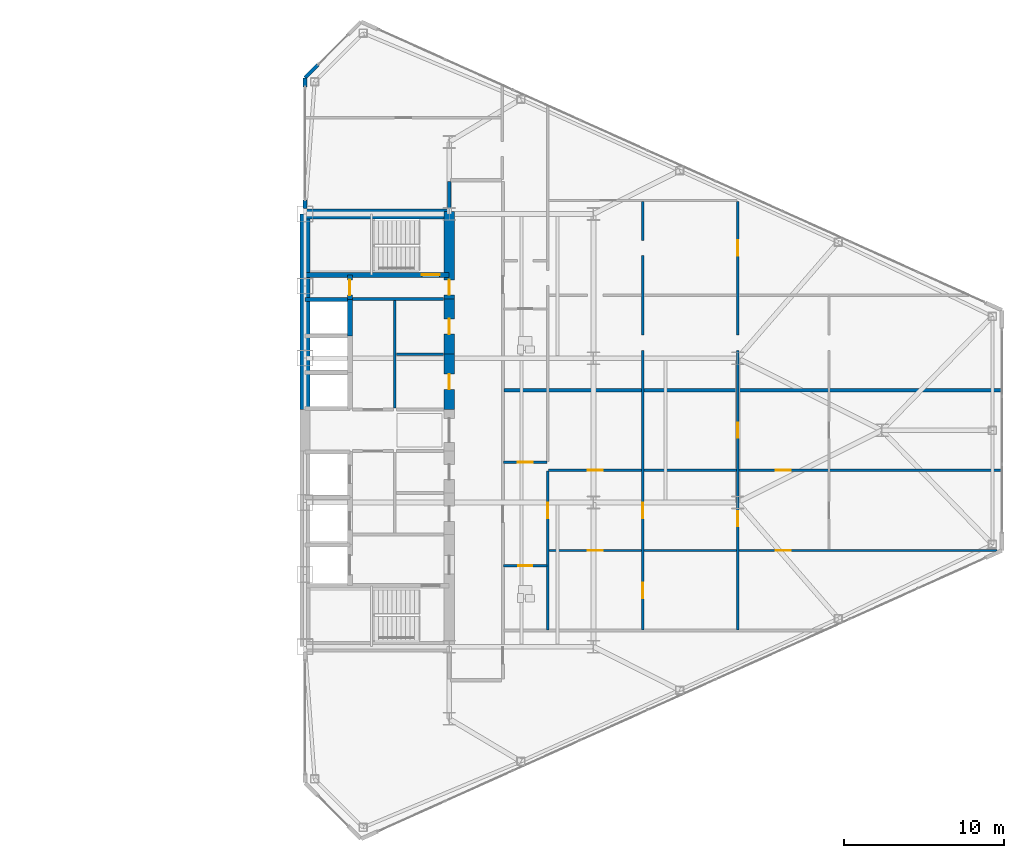
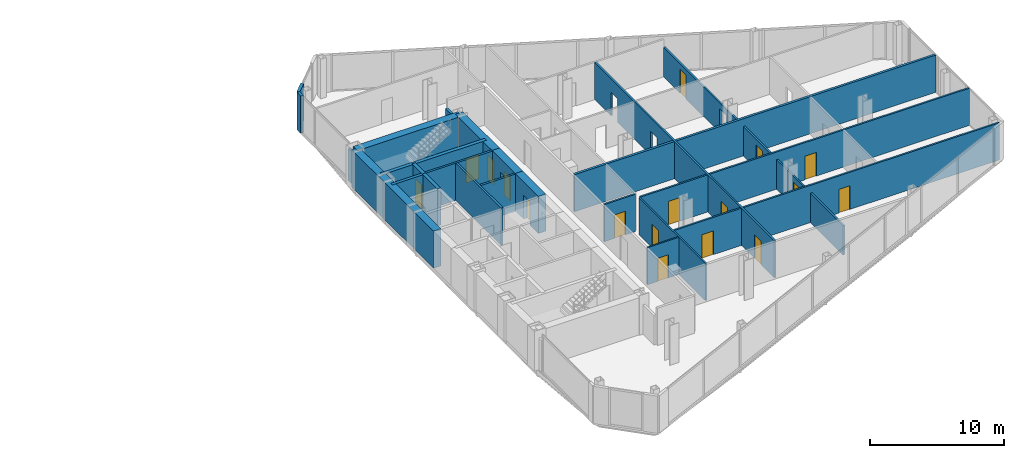
# One storey, part 23 of 27: 24 walls, 17 doors, 20 openings.
"""IFC4 building model written with IfcOpenShell, lengths in metres."""

from ifc_helpers import new_model, si_unit, direction, frame, frame_2d, origin, place, context, subcontext, project, spatial, rectangle, extrude, source, transform, mapped, material, layer, layer_set, type_object, type_shapes, element, fill, save


model = new_model("IFC4")

# Units and contexts
model_context = context("Model", 3, precision=1e-05, world=origin(), true_north=direction((0.0, 1.0)))
body_context = subcontext(model_context, "Body", "Model", "MODEL_VIEW")
ifc_project = project(units=[si_unit("LENGTHUNIT", "METRE"), si_unit("AREAUNIT", "SQUARE_METRE"), si_unit("VOLUMEUNIT", "CUBIC_METRE"), si_unit("PLANEANGLEUNIT", "RADIAN"), si_unit("MASSUNIT", "GRAM", prefix="KILO")], contexts=[model_context])

# Site, building, storey
site_placement = place(None, origin())
site = spatial("IfcSite", under=ifc_project, at=site_placement, CompositionType="ELEMENT")
building_placement = place(site_placement, origin())
building = spatial("IfcBuilding", under=site, at=building_placement, Name="Seokmaru Belvedere", CompositionType="ELEMENT")
storey_placement = place(building_placement, frame((0.0, 0.0, 92.39990234375)))
storey = spatial("IfcBuildingStorey", under=building, at=storey_placement, Name="L24", CompositionType="ELEMENT", Elevation=92.39990234375)

# Wall, openings, doors
ifc_material_1 = material(Name="Fire-Rated Gypsum Shaftwall")
ifc_layer_1 = layer(ifc_material_1, 0.14990234375)
ifc_layer_set_1 = layer_set([ifc_layer_1], Name="Fire-Rated Gypsum Shaftwall")
wall_type_1 = type_object("IfcWallType", Name="Apartment Fire-Acoustic Room Partition 150", PredefinedType="PARTITIONING", material=ifc_layer_set_1)
wall_1_placement = place(storey_placement, frame((42.699951171875, -7.5, 0.0), z_axis=(0.0, 0.0, 1.0), x_axis=(1.0, 0.0, 0.0)))
wall_1 = element("IfcWall", 1, at=wall_1_placement, inside=storey, type_object=wall_type_1, Name="L24 Interior Partition 008", PredefinedType="PARTITIONING", context=body_context, shape_type="SweptSolid", body=[
    extrude(rectangle(XDim=27.995361328125, YDim=0.14990234375, at=frame_2d((13.99755859375, 0.0))), origin(), (0.0, 0.0, 1.0), 3.380126953125),
])
opening_1_placement = place(wall_1_placement, frame((2.4375, 0.0, 0.0)))
opening_1 = element("IfcOpeningElement", 2, at=opening_1_placement, cuts=wall_1, Name="Opening D05", PredefinedType="OPENING", context=body_context, shape_type="SweptSolid", body=[
    extrude(rectangle(XDim=0.949951171875, YDim=2.14990234375, at=frame_2d((0.47509765625, 1.074951171875))), frame((0.0, 0.0849609375, 0.0), z_axis=(0.0, -1.0, 0.0), x_axis=(1.0, 0.0, 0.0)), (0.0, 0.0, 1.0), 0.169921875),
])
opening_2_placement = place(wall_1_placement, frame((14.175048828125, 0.0, 0.0)))
opening_2 = element("IfcOpeningElement", 3, at=opening_2_placement, cuts=wall_1, Name="Opening D05", PredefinedType="OPENING", context=body_context, shape_type="SweptSolid", body=[
    extrude(rectangle(XDim=0.949951171875, YDim=2.14990234375, at=frame_2d((0.47509765625, 1.074951171875))), frame((0.0, 0.0849609375, 0.0), z_axis=(0.0, -1.0, 0.0), x_axis=(1.0, 0.0, 0.0)), (0.0, 0.0, 1.0), 0.169921875),
])
ifc_material_2 = material(Name="Engineered White Oak Timber", Category="wood")
door_type_1 = type_object("IfcDoorType", Name="Apartment Interior Fire-Rated Oak Door 950x2150", OperationType="NOTDEFINED", PredefinedType="DOOR", material=ifc_material_2)
shared_shape_1 = source(origin(), body_context, "Body", "SweptSolid", [
    extrude(rectangle(XDim=0.949951171875, YDim=2.14990234375, at=frame_2d((0.47509765625, 1.074951171875))), frame((0.0, 0.02490234375, 0.0), z_axis=(0.0, -1.0, 0.0), x_axis=(1.0, 0.0, 0.0)), (0.0, 0.0, 1.0), 0.050048828125),
])
type_shapes(door_type_1, [shared_shape_1])
door_1_placement = place(opening_1_placement, origin())
door_1 = element("IfcDoor", 4, at=door_1_placement, inside=storey, type_object=door_type_1, Name="L24 Interior Door 039", OperationType="SINGLE_SWING_LEFT", OverallHeight=2.14990234375, OverallWidth=0.949951171875, PredefinedType="DOOR", context=body_context, shape_type="MappedRepresentation", body=[
    mapped(shared_shape_1, transform((0.0, 0.0, 0.0), scale=1.0)),
])
fill(opening_1, door_1)
door_2_placement = place(opening_2_placement, origin())
door_2 = element("IfcDoor", 5, at=door_2_placement, inside=storey, type_object=door_type_1, Name="L24 Interior Door 043", OperationType="SINGLE_SWING_RIGHT", OverallHeight=2.14990234375, OverallWidth=0.949951171875, PredefinedType="DOOR", context=body_context, shape_type="MappedRepresentation", body=[
    mapped(shared_shape_1, transform((0.0, 0.0, 0.0), scale=1.0)),
])
fill(opening_2, door_2)

wall_2_placement = place(storey_placement, frame((42.699951171875, -2.5, 0.0), z_axis=(0.0, 0.0, 1.0), x_axis=(1.0, 0.0, 0.0)))
wall_2 = element("IfcWall", 6, at=wall_2_placement, inside=storey, type_object=wall_type_1, Name="L24 Interior Partition 012", PredefinedType="PARTITIONING", context=body_context, shape_type="SweptSolid", body=[
    extrude(rectangle(XDim=28.3349609375, YDim=0.14990234375, at=frame_2d((14.16748046875, 0.0))), origin(), (0.0, 0.0, 1.0), 3.380126953125),
])
opening_3_placement = place(wall_2_placement, frame((2.4375, 0.0, 0.0)))
opening_3 = element("IfcOpeningElement", 7, at=opening_3_placement, cuts=wall_2, Name="Opening D05", PredefinedType="OPENING", context=body_context, shape_type="SweptSolid", body=[
    extrude(rectangle(XDim=0.949951171875, YDim=2.14990234375, at=frame_2d((0.47509765625, 1.074951171875))), frame((0.0, 0.0849609375, 0.0), z_axis=(0.0, -1.0, 0.0), x_axis=(1.0, 0.0, 0.0)), (0.0, 0.0, 1.0), 0.169921875),
])
opening_4_placement = place(wall_2_placement, frame((14.175048828125, 0.0, 0.0)))
opening_4 = element("IfcOpeningElement", 8, at=opening_4_placement, cuts=wall_2, Name="Opening D05", PredefinedType="OPENING", context=body_context, shape_type="SweptSolid", body=[
    extrude(rectangle(XDim=0.949951171875, YDim=2.14990234375, at=frame_2d((0.47509765625, 1.074951171875))), frame((0.0, 0.0849609375, 0.0), z_axis=(0.0, -1.0, 0.0), x_axis=(1.0, 0.0, 0.0)), (0.0, 0.0, 1.0), 0.169921875),
])
door_3_placement = place(opening_3_placement, origin())
door_3 = element("IfcDoor", 9, at=door_3_placement, inside=storey, type_object=door_type_1, Name="L24 Interior Door 041", OperationType="SINGLE_SWING_RIGHT", OverallHeight=2.14990234375, OverallWidth=0.949951171875, PredefinedType="DOOR", context=body_context, shape_type="MappedRepresentation", body=[
    mapped(shared_shape_1, transform((0.0, 0.0, 0.0), scale=1.0)),
])
fill(opening_3, door_3)
door_4_placement = place(opening_4_placement, origin())
door_4 = element("IfcDoor", 10, at=door_4_placement, inside=storey, type_object=door_type_1, Name="L24 Interior Door 045", OperationType="SINGLE_SWING_RIGHT", OverallHeight=2.14990234375, OverallWidth=0.949951171875, PredefinedType="DOOR", context=body_context, shape_type="MappedRepresentation", body=[
    mapped(shared_shape_1, transform((0.0, 0.0, 0.0), scale=1.0)),
])
fill(opening_4, door_4)

# Wall, opening, door
wall_3_placement = place(storey_placement, frame((39.89990234375, -2.0, 0.0), z_axis=(0.0, 0.0, 1.0), x_axis=(1.0, 0.0, 0.0)))
wall_3 = element("IfcWall", 11, at=wall_3_placement, inside=storey, type_object=wall_type_1, Name="L24 Interior Partition 013", PredefinedType="PARTITIONING", context=body_context, shape_type="SweptSolid", body=[
    extrude(rectangle(XDim=2.7001953125, YDim=0.14990234375, at=frame_2d((1.35009765625, 0.0))), origin(), (0.0, 0.0, 1.0), 3.380126953125),
])
opening_5_placement = place(wall_3_placement, frame((0.875, 0.0, 0.0)))
opening_5 = element("IfcOpeningElement", 12, at=opening_5_placement, cuts=wall_3, Name="Opening D05", PredefinedType="OPENING", context=body_context, shape_type="SweptSolid", body=[
    extrude(rectangle(XDim=0.949951171875, YDim=2.14990234375, at=frame_2d((0.47509765625, 1.074951171875))), frame((0.0, 0.0849609375, 0.0), z_axis=(0.0, -1.0, 0.0), x_axis=(1.0, 0.0, 0.0)), (0.0, 0.0, 1.0), 0.169921875),
])
door_5_placement = place(opening_5_placement, origin())
door_5 = element("IfcDoor", 13, at=door_5_placement, inside=storey, type_object=door_type_1, Name="L24 Interior Door 037", OperationType="SINGLE_SWING_RIGHT", OverallHeight=2.14990234375, OverallWidth=0.949951171875, PredefinedType="DOOR", context=body_context, shape_type="MappedRepresentation", body=[
    mapped(shared_shape_1, transform((0.0, 0.0, 0.0), scale=1.0)),
])
fill(opening_5, door_5)

# Wall, openings, doors
wall_4_placement = place(storey_placement, frame((48.580078125, -12.449951171875, 0.0), z_axis=(0.0, 0.0, 1.0), x_axis=(0.0, 1.0, 0.0)))
wall_4 = element("IfcWall", 14, at=wall_4_placement, inside=storey, type_object=wall_type_1, Name="L24 Interior Partition 049", PredefinedType="PARTITIONING", context=body_context, shape_type="SweptSolid", body=[
    extrude(rectangle(XDim=26.738037109375, YDim=0.14990234375, at=frame_2d((13.369140625, 0.0))), origin(), (0.0, 0.0, 1.0), 3.380126953125),
])
opening_6_placement = place(wall_4_placement, frame((6.97509765625, 0.0, 0.0)))
opening_6 = element("IfcOpeningElement", 15, at=opening_6_placement, cuts=wall_4, Name="Opening D05", PredefinedType="OPENING", context=body_context, shape_type="SweptSolid", body=[
    extrude(rectangle(XDim=0.949951171875, YDim=2.14990234375, at=frame_2d((0.47509765625, 1.074951171875))), frame((0.0, 0.0849609375, 0.0), z_axis=(0.0, -1.0, 0.0), x_axis=(1.0, 0.0, 0.0)), (0.0, 0.0, 1.0), 0.169921875),
])
opening_7_placement = place(wall_4_placement, frame((1.97509765625, 0.0, 0.0)))
opening_7 = element("IfcOpeningElement", 16, at=opening_7_placement, cuts=wall_4, Name="Opening D05", PredefinedType="OPENING", context=body_context, shape_type="SweptSolid", body=[
    extrude(rectangle(XDim=0.949951171875, YDim=2.14990234375, at=frame_2d((0.47509765625, 1.074951171875))), frame((0.0, 0.0849609375, 0.0), z_axis=(0.0, -1.0, 0.0), x_axis=(1.0, 0.0, 0.0)), (0.0, 0.0, 1.0), 0.169921875),
])
opening_8_placement = place(wall_4_placement, frame((23.353759765625, 0.0, 0.0)))
element("IfcOpeningElement", 17, at=opening_8_placement, cuts=wall_4, Name="L24 Cased Opening 054", PredefinedType="OPENING", context=body_context, shape_type="SweptSolid", body=[
    extrude(rectangle(XDim=0.949951171875, YDim=2.14990234375, at=frame_2d((0.47509765625, 1.074951171875))), frame((0.0, 0.0849609375, 0.0), z_axis=(0.0, -1.0, 0.0), x_axis=(1.0, 0.0, 0.0)), (0.0, 0.0, 1.0), 0.169921875),
])
opening_9_placement = place(wall_4_placement, frame((17.4345703125, 0.0, 0.0)))
element("IfcOpeningElement", 18, at=opening_9_placement, cuts=wall_4, Name="L24 Cased Opening 057", PredefinedType="OPENING", context=body_context, shape_type="SweptSolid", body=[
    extrude(rectangle(XDim=0.949951171875, YDim=2.14990234375, at=frame_2d((0.47509765625, 1.074951171875))), frame((0.0, 0.0849609375, 0.0), z_axis=(0.0, -1.0, 0.0), x_axis=(1.0, 0.0, 0.0)), (0.0, 0.0, 1.0), 0.169921875),
])
door_6_placement = place(opening_6_placement, origin())
door_6 = element("IfcDoor", 19, at=door_6_placement, inside=storey, type_object=door_type_1, Name="L24 Interior Door 040", OperationType="SINGLE_SWING_RIGHT", OverallHeight=2.14990234375, OverallWidth=0.949951171875, PredefinedType="DOOR", context=body_context, shape_type="MappedRepresentation", body=[
    mapped(shared_shape_1, transform((0.0, 0.0, 0.0), scale=1.0)),
])
fill(opening_6, door_6)
door_7_placement = place(opening_7_placement, origin())
door_7 = element("IfcDoor", 20, at=door_7_placement, inside=storey, type_object=door_type_1, Name="L24 Interior Door 047", OperationType="SINGLE_SWING_LEFT", OverallHeight=2.14990234375, OverallWidth=0.949951171875, PredefinedType="DOOR", context=body_context, shape_type="MappedRepresentation", body=[
    mapped(shared_shape_1, transform((0.0, 0.0, 0.0), scale=1.0)),
])
fill(opening_7, door_7)

wall_5_placement = place(storey_placement, frame((54.5, -12.449951171875, 0.0), z_axis=(0.0, 0.0, 1.0), x_axis=(0.0, 1.0, 0.0)))
wall_5 = element("IfcWall", 21, at=wall_5_placement, inside=storey, type_object=wall_type_1, Name="L24 Interior Partition 050", PredefinedType="PARTITIONING", context=body_context, shape_type="SweptSolid", body=[
    extrude(rectangle(XDim=26.738037109375, YDim=0.14990234375, at=frame_2d((13.369140625, 0.0))), origin(), (0.0, 0.0, 1.0), 2.68017578125),
])
opening_10_placement = place(wall_5_placement, frame((6.4580078125, 0.0, 0.0)))
opening_10 = element("IfcOpeningElement", 22, at=opening_10_placement, cuts=wall_5, Name="Opening D05", PredefinedType="OPENING", context=body_context, shape_type="SweptSolid", body=[
    extrude(rectangle(XDim=0.949951171875, YDim=2.14990234375, at=frame_2d((0.47509765625, 1.074951171875))), frame((0.0, 0.0849609375, 0.0), z_axis=(0.0, -1.0, 0.0), x_axis=(1.0, 0.0, 0.0)), (0.0, 0.0, 1.0), 0.169921875),
])
opening_11_placement = place(wall_5_placement, frame((11.97509765625, 0.0, 0.0)))
opening_11 = element("IfcOpeningElement", 23, at=opening_11_placement, cuts=wall_5, Name="Opening D05", PredefinedType="OPENING", context=body_context, shape_type="SweptSolid", body=[
    extrude(rectangle(XDim=0.949951171875, YDim=2.14990234375, at=frame_2d((0.47509765625, 1.074951171875))), frame((0.0, 0.0849609375, 0.0), z_axis=(0.0, -1.0, 0.0), x_axis=(1.0, 0.0, 0.0)), (0.0, 0.0, 1.0), 0.169921875),
])
opening_12_placement = place(wall_5_placement, frame((23.353759765625, 0.0, 0.0)))
opening_12 = element("IfcOpeningElement", 24, at=opening_12_placement, cuts=wall_5, Name="Opening D05", PredefinedType="OPENING", context=body_context, shape_type="SweptSolid", body=[
    extrude(rectangle(XDim=0.949951171875, YDim=2.14990234375, at=frame_2d((0.47509765625, 1.074951171875))), frame((0.0, 0.0849609375, 0.0), z_axis=(0.0, -1.0, 0.0), x_axis=(1.0, 0.0, 0.0)), (0.0, 0.0, 1.0), 0.169921875),
])
opening_13_placement = place(wall_5_placement, frame((17.4345703125, 0.0, 0.0)))
element("IfcOpeningElement", 25, at=opening_13_placement, cuts=wall_5, Name="L24 Cased Opening 058", PredefinedType="OPENING", context=body_context, shape_type="SweptSolid", body=[
    extrude(rectangle(XDim=0.949951171875, YDim=2.14990234375, at=frame_2d((0.47509765625, 1.074951171875))), frame((0.0, 0.0849609375, 0.0), z_axis=(0.0, -1.0, 0.0), x_axis=(1.0, 0.0, 0.0)), (0.0, 0.0, 1.0), 0.169921875),
])
door_8_placement = place(opening_10_placement, origin())
door_8 = element("IfcDoor", 26, at=door_8_placement, inside=storey, type_object=door_type_1, Name="L24 Interior Door 042", OperationType="SINGLE_SWING_LEFT", OverallHeight=2.14990234375, OverallWidth=0.949951171875, PredefinedType="DOOR", context=body_context, shape_type="MappedRepresentation", body=[
    mapped(shared_shape_1, transform((0.0, 0.0, 0.0), scale=1.0)),
])
fill(opening_10, door_8)
door_9_placement = place(opening_11_placement, origin())
door_9 = element("IfcDoor", 27, at=door_9_placement, inside=storey, type_object=door_type_1, Name="L24 Interior Door 048", OperationType="SINGLE_SWING_RIGHT", OverallHeight=2.14990234375, OverallWidth=0.949951171875, PredefinedType="DOOR", context=body_context, shape_type="MappedRepresentation", body=[
    mapped(shared_shape_1, transform((0.0, 0.0, 0.0), scale=1.0)),
])
fill(opening_11, door_9)
door_10_placement = place(opening_12_placement, origin())
door_10 = element("IfcDoor", 28, at=door_10_placement, inside=storey, type_object=door_type_1, Name="L24 Interior Door 056", OperationType="SINGLE_SWING_LEFT", OverallHeight=2.14990234375, OverallWidth=0.949951171875, PredefinedType="DOOR", context=body_context, shape_type="MappedRepresentation", body=[
    mapped(shared_shape_1, transform((0.0, 0.0, 0.0), scale=1.0)),
])
fill(opening_12, door_10)

# Walls
ifc_layer_2 = layer(ifc_material_1, 0.179931640625)
ifc_layer_set_2 = layer_set([ifc_layer_2], Name="Fire-Rated Gypsum Shaftwall")
wall_type_2 = type_object("IfcWallType", Name="Core Service Fire Partition 180", PredefinedType="PARTITIONING", material=ifc_layer_set_2)
wall_6_placement = place(storey_placement, frame((30.449951171875, 8.199951171875, 0.0), z_axis=(0.0, 0.0, 1.0), x_axis=(1.0, 0.0, 0.0)))
element("IfcWall", 29, at=wall_6_placement, inside=storey, type_object=wall_type_2, Name="L24 East Smokeproof Vestibule Partition", PredefinedType="PARTITIONING", context=body_context, shape_type="SweptSolid", body=[
    extrude(rectangle(XDim=5.699951171875, YDim=0.179931640625, at=frame_2d((2.85009765625, 0.0))), origin(), (0.0, 0.0, 1.0), 3.380126953125),
])
wall_7_placement = place(storey_placement, frame((33.10009765625, 1.3798828125, 0.0), z_axis=(0.0, 0.0, 1.0), x_axis=(0.0, 1.0, 0.0)))
element("IfcWall", 30, at=wall_7_placement, inside=storey, type_object=wall_type_2, Name="L24 East North Core Service Back Wall", PredefinedType="PARTITIONING", context=body_context, shape_type="SweptSolid", body=[
    extrude(rectangle(XDim=6.740234375, YDim=0.179931640625, at=frame_2d((3.3701171875, 0.0))), origin(), (0.0, 0.0, 1.0), 3.380126953125),
])
wall_8_placement = place(storey_placement, frame((33.199951171875, 4.75, 0.0), z_axis=(0.0, 0.0, 1.0), x_axis=(1.0, 0.0, 0.0)))
element("IfcWall", 31, at=wall_8_placement, inside=storey, type_object=wall_type_2, Name="L24 East Core Service Partition 2", PredefinedType="PARTITIONING", context=body_context, shape_type="SweptSolid", body=[
    extrude(rectangle(XDim=2.949951171875, YDim=0.179931640625, at=frame_2d((1.47509765625, 0.0))), origin(), (0.0, 0.0, 1.0), 3.380126953125),
])
ifc_material_3 = material(Name="Concrete C50 (50 MPa)", Category="concrete")
ifc_layer_3 = layer(ifc_material_3, 0.25)
ifc_layer_set_3 = layer_set([ifc_layer_3], Name="Concrete C50 (50 MPa)")
wall_type_3 = type_object("IfcWallType", Name="Hoistway Transverse Concrete Divider Wall 250", PredefinedType="SHEAR", material=ifc_layer_set_3)
wall_9_placement = place(storey_placement, frame((27.5, 8.14990234375, 0.0), z_axis=(0.0, 0.0, 1.0), x_axis=(1.0, 0.0, 0.0)))
element("IfcWall", 32, at=wall_9_placement, inside=storey, type_object=wall_type_3, Name="L24 East Hoistway Divider Core Wall 7", PredefinedType="SHEAR", context=body_context, shape_type="SweptSolid", body=[
    extrude(rectangle(XDim=2.800048828125, YDim=0.25, at=frame_2d((1.39990234375, 0.0))), origin(), (0.0, 0.0, 1.0), 3.380126953125),
])
ifc_layer_4 = layer(ifc_material_1, 0.199951171875)
ifc_layer_set_4 = layer_set([ifc_layer_4], Name="Fire-Rated Gypsum Shaftwall")
wall_type_4 = type_object("IfcWallType", Name="Inter-Tenancy Fire Compartment Partition 200", PredefinedType="PARTITIONING", material=ifc_layer_set_4)
wall_10_placement = place(storey_placement, frame((39.929931640625, 2.5, 0.0), z_axis=(0.0, 0.0, 1.0), x_axis=(1.0, 0.0, 0.0)))
element("IfcWall", 33, at=wall_10_placement, inside=storey, type_object=wall_type_4, Name="L24 Interior Partition 016", PredefinedType="PARTITIONING", context=body_context, shape_type="SweptSolid", body=[
    extrude(rectangle(XDim=31.074951171875, YDim=0.199951171875, at=frame_2d((15.53759765625, 0.0))), origin(), (0.0, 0.0, 1.0), 3.380126953125),
])
wall_11_placement = place(storey_placement, frame((36.5, 13.830078125, 0.0), z_axis=(0.0, 0.0, 1.0), x_axis=(0.0, 1.0, 0.0)))
element("IfcWall", 34, at=wall_11_placement, inside=storey, type_object=wall_type_4, Name="L24 Interior Partition 044", PredefinedType="PARTITIONING", context=body_context, shape_type="SweptSolid", body=[
    extrude(rectangle(XDim=1.684814453125, YDim=0.199951171875, at=frame_2d((0.84228515625, 0.0))), origin(), (0.0, 0.0, 1.0), 2.68017578125),
])

# Wall, opening, door
ifc_layer_5 = layer(ifc_material_3, 0.300048828125)
ifc_layer_set_5 = layer_set([ifc_layer_5], Name="Concrete C50 (50 MPa)")
wall_type_5 = type_object("IfcWallType", Name="Internal Core Stair and Hoistway Wall 300", PredefinedType="SHEAR", material=ifc_layer_set_5)
wall_12_placement = place(storey_placement, frame((27.5, 9.699951171875, 0.0), z_axis=(0.0, 0.0, 1.0), x_axis=(1.0, 0.0, 0.0)))
wall_12 = element("IfcWall", 35, at=wall_12_placement, inside=storey, type_object=wall_type_5, Name="L24 East Stair ST-2 Enclosure Wall", PredefinedType="SHEAR", context=body_context, shape_type="SweptSolid", body=[
    extrude(rectangle(XDim=9.0, YDim=0.300048828125, at=frame_2d((4.5, 0.0))), origin(), (0.0, 0.0, 1.0), 3.380126953125),
])
opening_14_placement = place(wall_12_placement, frame((7.300048828125, 0.0, 0.0)))
opening_14 = element("IfcOpeningElement", 36, at=opening_14_placement, cuts=wall_12, Name="Opening D01", PredefinedType="OPENING", context=body_context, shape_type="SweptSolid", body=[
    extrude(rectangle(XDim=1.10009765625, YDim=2.199951171875, at=frame_2d((0.550048828125, 1.10009765625))), frame((0.0, 0.16015625, 0.0), z_axis=(0.0, -1.0, 0.0), x_axis=(1.0, 0.0, 0.0)), (0.0, 0.0, 1.0), 0.320068359375),
])
ifc_material_4 = material(Name="Fire-Rated Steel Leaf", Category="steel")
door_type_2 = type_object("IfcDoorType", Name="Special Escape Stair Smokeproof Fire Door 1100x2200", OperationType="NOTDEFINED", PredefinedType="DOOR", material=ifc_material_4)
shared_shape_2 = source(origin(), body_context, "Body", "SweptSolid", [
    extrude(rectangle(XDim=1.10009765625, YDim=2.199951171875, at=frame_2d((0.550048828125, 1.10009765625))), frame((0.0, 0.02490234375, 0.0), z_axis=(0.0, -1.0, 0.0), x_axis=(1.0, 0.0, 0.0)), (0.0, 0.0, 1.0), 0.050048828125),
])
type_shapes(door_type_2, [shared_shape_2])
door_11_placement = place(opening_14_placement, origin())
door_11 = element("IfcDoor", 37, at=door_11_placement, inside=storey, type_object=door_type_2, Name="L24 East Special Escape Stair ST-2 Door", OperationType="SINGLE_SWING_LEFT", OverallHeight=2.199951171875, OverallWidth=1.10009765625, PredefinedType="DOOR", context=body_context, shape_type="MappedRepresentation", body=[
    mapped(shared_shape_2, transform((0.0, 0.0, 0.0), scale=1.0)),
])
fill(opening_14, door_11)

# Wall
wall_13_placement = place(storey_placement, frame((30.300048828125, 5.89990234375, 0.0), z_axis=(0.0, 0.0, 1.0), x_axis=(0.0, 1.0, 0.0)))
element("IfcWall", 38, at=wall_13_placement, inside=storey, type_object=wall_type_5, Name="L24 East North Hoistway Wall OBS", PredefinedType="SHEAR", context=body_context, shape_type="SweptSolid", body=[
    extrude(rectangle(XDim=2.25, YDim=0.300048828125, at=frame_2d((1.125, 0.0))), origin(), (0.0, 0.0, 1.0), 3.380126953125),
])

# Wall, opening, door
wall_14_placement = place(storey_placement, frame((30.300048828125, 8.14990234375, 0.0), z_axis=(0.0, 0.0, 1.0), x_axis=(0.0, 1.0, 0.0)))
wall_14 = element("IfcWall", 39, at=wall_14_placement, inside=storey, type_object=wall_type_5, Name="L24 East Electrical Riser Front Wall", PredefinedType="SHEAR", context=body_context, shape_type="SweptSolid", body=[
    extrude(rectangle(XDim=1.530029296875, YDim=0.300048828125, at=frame_2d((0.76513671875, 0.0))), origin(), (0.0, 0.0, 1.0), 3.380126953125),
])
opening_15_placement = place(wall_14_placement, frame((0.284912109375, 0.0, 0.0)))
opening_15 = element("IfcOpeningElement", 40, at=opening_15_placement, cuts=wall_14, Name="Opening D04", PredefinedType="OPENING", context=body_context, shape_type="SweptSolid", body=[
    extrude(rectangle(XDim=0.949951171875, YDim=2.14990234375, at=frame_2d((0.47509765625, 1.074951171875))), frame((0.0, 0.16015625, 0.0), z_axis=(0.0, -1.0, 0.0), x_axis=(1.0, 0.0, 0.0)), (0.0, 0.0, 1.0), 0.320068359375),
])
door_type_3 = type_object("IfcDoorType", Name="Core Service Room Fire Door 950x2150", OperationType="NOTDEFINED", PredefinedType="DOOR", material=ifc_material_4)
shared_shape_3 = source(origin(), body_context, "Body", "SweptSolid", [
    extrude(rectangle(XDim=0.949951171875, YDim=2.14990234375, at=frame_2d((0.47509765625, 1.074951171875))), frame((0.0, 0.02490234375, 0.0), z_axis=(0.0, -1.0, 0.0), x_axis=(1.0, 0.0, 0.0)), (0.0, 0.0, 1.0), 0.050048828125),
])
type_shapes(door_type_3, [shared_shape_3])
door_12_placement = place(opening_15_placement, origin())
door_12 = element("IfcDoor", 41, at=door_12_placement, inside=storey, type_object=door_type_3, Name="L24 East Electrical Riser Access Door", OperationType="SINGLE_SWING_RIGHT", OverallHeight=2.14990234375, OverallWidth=0.949951171875, PredefinedType="DOOR", context=body_context, shape_type="MappedRepresentation", body=[
    mapped(shared_shape_3, transform((0.0, 0.0, 0.0), scale=1.0)),
])
fill(opening_15, door_12)

# Walls
ifc_material_5 = material(Name="Concrete C60 (60 MPa)", Category="concrete")
ifc_layer_6 = layer(ifc_material_5, 0.64990234375)
ifc_layer_set_6 = layer_set([ifc_layer_6], Name="Concrete C60 (60 MPa)")
wall_type_6 = type_object("IfcWallType", Name="Mid-Low Reinforced Concrete Core Wall 650", PredefinedType="SHEAR", material=ifc_layer_set_6)
wall_15_placement = place(storey_placement, frame((27.5, 1.300048828125, 0.0), z_axis=(0.0, 0.0, 1.0), x_axis=(0.0, 1.0, 0.0)))
element("IfcWall", 42, at=wall_15_placement, inside=storey, type_object=wall_type_6, Name="L24 East Portal Spine Core Wall North", PredefinedType="SHEAR", context=body_context, shape_type="SweptSolid", body=[
    extrude(rectangle(XDim=12.199951171875, YDim=0.64990234375, at=frame_2d((6.10009765625, 0.0))), origin(), (0.0, 0.0, 1.0), 3.380126953125),
])
wall_16_placement = place(storey_placement, frame((27.5, 13.5, 0.0), z_axis=(0.0, 0.0, 1.0), x_axis=(1.0, 0.0, 0.0)))
element("IfcWall", 43, at=wall_16_placement, inside=storey, type_object=wall_type_6, Name="L24 East North Core Wall", PredefinedType="SHEAR", context=body_context, shape_type="SweptSolid", body=[
    extrude(rectangle(XDim=9.0, YDim=0.64990234375, at=frame_2d((4.5, 0.0))), origin(), (0.0, 0.0, 1.0), 3.380126953125),
])

# Wall, opening, door
wall_17_placement = place(storey_placement, frame((36.5, 8.199951171875, 0.0), z_axis=(0.0, 0.0, 1.0), x_axis=(0.0, 1.0, 0.0)))
wall_17 = element("IfcWall", 44, at=wall_17_placement, inside=storey, type_object=wall_type_6, Name="L24 East West Core Wall VST", PredefinedType="SHEAR", context=body_context, shape_type="SweptSolid", body=[
    extrude(rectangle(XDim=5.449951171875, YDim=0.64990234375, at=frame_2d((2.72509765625, 0.0))), origin(), (0.0, 0.0, 1.0), 3.380126953125),
])
opening_16_placement = place(wall_17_placement, frame((0.2451171875, 0.0, 0.0)))
opening_16 = element("IfcOpeningElement", 45, at=opening_16_placement, cuts=wall_17, Name="Opening D04", PredefinedType="OPENING", context=body_context, shape_type="SweptSolid", body=[
    extrude(rectangle(XDim=0.949951171875, YDim=2.14990234375, at=frame_2d((0.47509765625, 1.074951171875))), frame((0.0, 0.3349609375, 0.0), z_axis=(0.0, -1.0, 0.0), x_axis=(1.0, 0.0, 0.0)), (0.0, 0.0, 1.0), 0.669921875),
])
door_13_placement = place(opening_16_placement, origin())
door_13 = element("IfcDoor", 46, at=door_13_placement, inside=storey, type_object=door_type_3, Name="L24 East Smokeproof Vestibule Door", OperationType="SINGLE_SWING_LEFT", OverallHeight=2.14990234375, OverallWidth=0.949951171875, PredefinedType="DOOR", context=body_context, shape_type="MappedRepresentation", body=[
    mapped(shared_shape_3, transform((0.0, 0.0, 0.0), scale=1.0)),
])
fill(opening_16, door_13)

wall_18_placement = place(storey_placement, frame((36.5, 1.300048828125, 0.0), z_axis=(0.0, 0.0, 1.0), x_axis=(0.0, 1.0, 0.0)))
wall_18 = element("IfcWall", 47, at=wall_18_placement, inside=storey, type_object=wall_type_6, Name="L24 East West Core Wall CS3", PredefinedType="SHEAR", context=body_context, shape_type="SweptSolid", body=[
    extrude(rectangle(XDim=3.449951171875, YDim=0.64990234375, at=frame_2d((1.72509765625, 0.0))), origin(), (0.0, 0.0, 1.0), 3.380126953125),
])
opening_17_placement = place(wall_18_placement, frame((1.25, 0.0, 0.0)))
opening_17 = element("IfcOpeningElement", 48, at=opening_17_placement, cuts=wall_18, Name="Opening D04", PredefinedType="OPENING", context=body_context, shape_type="SweptSolid", body=[
    extrude(rectangle(XDim=0.949951171875, YDim=2.14990234375, at=frame_2d((0.47509765625, 1.074951171875))), frame((0.0, 0.3349609375, 0.0), z_axis=(0.0, -1.0, 0.0), x_axis=(1.0, 0.0, 0.0)), (0.0, 0.0, 1.0), 0.669921875),
])
door_14_placement = place(opening_17_placement, origin())
door_14 = element("IfcDoor", 49, at=door_14_placement, inside=storey, type_object=door_type_3, Name="L24 East Core Service Room Door 3", OperationType="SINGLE_SWING_RIGHT", OverallHeight=2.14990234375, OverallWidth=0.949951171875, PredefinedType="DOOR", context=body_context, shape_type="MappedRepresentation", body=[
    mapped(shared_shape_3, transform((0.0, 0.0, 0.0), scale=1.0)),
])
fill(opening_17, door_14)

wall_19_placement = place(storey_placement, frame((36.5, 4.75, 0.0), z_axis=(0.0, 0.0, 1.0), x_axis=(0.0, 1.0, 0.0)))
wall_19 = element("IfcWall", 50, at=wall_19_placement, inside=storey, type_object=wall_type_6, Name="L24 East West Core Wall CS4", PredefinedType="SHEAR", context=body_context, shape_type="SweptSolid", body=[
    extrude(rectangle(XDim=3.449951171875, YDim=0.64990234375, at=frame_2d((1.72509765625, 0.0))), origin(), (0.0, 0.0, 1.0), 3.380126953125),
])
opening_18_placement = place(wall_19_placement, frame((1.25, 0.0, 0.0)))
opening_18 = element("IfcOpeningElement", 51, at=opening_18_placement, cuts=wall_19, Name="Opening D04", PredefinedType="OPENING", context=body_context, shape_type="SweptSolid", body=[
    extrude(rectangle(XDim=0.949951171875, YDim=2.14990234375, at=frame_2d((0.47509765625, 1.074951171875))), frame((0.0, 0.3349609375, 0.0), z_axis=(0.0, -1.0, 0.0), x_axis=(1.0, 0.0, 0.0)), (0.0, 0.0, 1.0), 0.669921875),
])
door_15_placement = place(opening_18_placement, origin())
door_15 = element("IfcDoor", 52, at=door_15_placement, inside=storey, type_object=door_type_3, Name="L24 East Core Service Room Door 4", OperationType="SINGLE_SWING_LEFT", OverallHeight=2.14990234375, OverallWidth=0.949951171875, PredefinedType="DOOR", context=body_context, shape_type="MappedRepresentation", body=[
    mapped(shared_shape_3, transform((0.0, 0.0, 0.0), scale=1.0)),
])
fill(opening_18, door_15)

ifc_layer_7 = layer(ifc_material_1, 0.1298828125)
ifc_layer_set_7 = layer_set([ifc_layer_7], Name="Fire-Rated Gypsum Shaftwall")
wall_type_7 = type_object("IfcWallType", Name="Moisture-Resistant Fire-Rated Bathroom Partition 130", PredefinedType="PARTITIONING", material=ifc_layer_set_7)
wall_20_placement = place(storey_placement, frame((39.89990234375, -8.449951171875, 0.0), z_axis=(0.0, 0.0, 1.0), x_axis=(1.0, 0.0, 0.0)))
wall_20 = element("IfcWall", 53, at=wall_20_placement, inside=storey, type_object=wall_type_7, Name="L24 Interior Partition 007", PredefinedType="PARTITIONING", context=body_context, shape_type="SweptSolid", body=[
    extrude(rectangle(XDim=2.7001953125, YDim=0.1298828125, at=frame_2d((1.35009765625, 0.0))), origin(), (0.0, 0.0, 1.0), 3.380126953125),
])
opening_19_placement = place(wall_20_placement, frame((0.909912109375, 0.0, 0.0)))
opening_19 = element("IfcOpeningElement", 54, at=opening_19_placement, cuts=wall_20, Name="Opening D06", PredefinedType="OPENING", context=body_context, shape_type="SweptSolid", body=[
    extrude(rectangle(XDim=0.8798828125, YDim=2.10009765625, at=frame_2d((0.43994140625, 1.050048828125))), frame((0.0, 0.074951171875, 0.0), z_axis=(0.0, -1.0, 0.0), x_axis=(1.0, 0.0, 0.0)), (0.0, 0.0, 1.0), 0.14990234375),
])
door_type_4 = type_object("IfcDoorType", Name="Bathroom and Restroom Fire-Rated Door 880x2100", OperationType="NOTDEFINED", PredefinedType="DOOR", material=ifc_material_2)
shared_shape_4 = source(origin(), body_context, "Body", "SweptSolid", [
    extrude(rectangle(XDim=0.8798828125, YDim=2.10009765625, at=frame_2d((0.43994140625, 1.050048828125))), frame((0.0, 0.02490234375, 0.0), z_axis=(0.0, -1.0, 0.0), x_axis=(1.0, 0.0, 0.0)), (0.0, 0.0, 1.0), 0.050048828125),
])
type_shapes(door_type_4, [shared_shape_4])
door_16_placement = place(opening_19_placement, origin())
door_16 = element("IfcDoor", 55, at=door_16_placement, inside=storey, type_object=door_type_4, Name="L24 Interior Door 036", OperationType="SINGLE_SWING_RIGHT", OverallHeight=2.10009765625, OverallWidth=0.8798828125, PredefinedType="DOOR", context=body_context, shape_type="MappedRepresentation", body=[
    mapped(shared_shape_4, transform((0.0, 0.0, 0.0), scale=1.0)),
])
fill(opening_19, door_16)

wall_21_placement = place(storey_placement, frame((42.64990234375, -12.449951171875, 0.0), z_axis=(0.0, 0.0, 1.0), x_axis=(0.0, 1.0, 0.0)))
wall_21 = element("IfcWall", 56, at=wall_21_placement, inside=storey, type_object=wall_type_7, Name="L24 Interior Partition 047", PredefinedType="PARTITIONING", context=body_context, shape_type="SweptSolid", body=[
    extrude(rectangle(XDim=9.89990234375, YDim=0.1298828125, at=frame_2d((4.949951171875, 0.0))), origin(), (0.0, 0.0, 1.0), 3.380126953125),
])
opening_20_placement = place(wall_21_placement, frame((6.97509765625, 0.0, 0.0)))
opening_20 = element("IfcOpeningElement", 57, at=opening_20_placement, cuts=wall_21, Name="Opening D05", PredefinedType="OPENING", context=body_context, shape_type="SweptSolid", body=[
    extrude(rectangle(XDim=0.949951171875, YDim=2.14990234375, at=frame_2d((0.47509765625, 1.074951171875))), frame((0.0, 0.074951171875, 0.0), z_axis=(0.0, -1.0, 0.0), x_axis=(1.0, 0.0, 0.0)), (0.0, 0.0, 1.0), 0.14990234375),
])
door_17_placement = place(opening_20_placement, origin())
door_17 = element("IfcDoor", 58, at=door_17_placement, inside=storey, type_object=door_type_1, Name="L24 Interior Door 038", OperationType="SINGLE_SWING_LEFT", OverallHeight=2.14990234375, OverallWidth=0.949951171875, PredefinedType="DOOR", context=body_context, shape_type="MappedRepresentation", body=[
    mapped(shared_shape_1, transform((0.0, 0.0, 0.0), scale=1.0)),
])
fill(opening_20, door_17)

# Walls
ifc_material_6 = material(Name="Anodised Bronze Aluminium", Category="aluminium")
ifc_layer_8 = layer(ifc_material_6, 0.239990234375)
ifc_layer_set_8 = layer_set([ifc_layer_8], Name="Anodised Bronze Aluminium")
wall_type_8 = type_object("IfcWallType", Name="Tower Corner Spandrel Closure Wall 240", PredefinedType="SOLIDWALL", material=ifc_layer_set_8)
wall_22_placement = place(storey_placement, frame((28.313232421875, 22.813232421875, 0.0), z_axis=(0.0, 0.0, 1.0), x_axis=(-0.707106781187, -0.707106781187, 0.0)))
element("IfcWall", 59, at=wall_22_placement, inside=storey, type_object=wall_type_8, Name="L24 E Corner Closure Pier 4B", PredefinedType="SOLIDWALL", context=body_context, shape_type="SweptSolid", body=[
    extrude(rectangle(XDim=1.14013671875, YDim=0.239990234375, at=frame_2d((0.570068359375, 0.0))), origin(), (0.0, 0.0, 1.0), 3.380126953125),
])
wall_23_placement = place(storey_placement, frame((27.5, 13.830078125, 0.0), z_axis=(0.0, 0.0, 1.0), x_axis=(0.0, 1.0, 0.0)))
element("IfcWall", 60, at=wall_23_placement, inside=storey, type_object=wall_type_8, Name="L24 E Spine Closure Pier 2A", PredefinedType="SOLIDWALL", context=body_context, shape_type="SweptSolid", body=[
    extrude(rectangle(XDim=0.5498046875, YDim=0.239990234375, at=frame_2d((0.27490234375, 0.0))), origin(), (0.0, 0.0, 1.0), 2.880126953125),
])
wall_24_placement = place(storey_placement, frame((27.5, 21.429931640625, 0.0), z_axis=(0.0, 0.0, 1.0), x_axis=(0.0, 1.0, 0.0)))
element("IfcWall", 61, at=wall_24_placement, inside=storey, type_object=wall_type_8, Name="L24 E Spine Closure Pier 2B", PredefinedType="SOLIDWALL", context=body_context, shape_type="SweptSolid", body=[
    extrude(rectangle(XDim=0.550048828125, YDim=0.239990234375, at=frame_2d((0.27490234375, 0.0))), origin(), (0.0, 0.0, 1.0), 3.380126953125),
])

save(model, "model.ifc")
